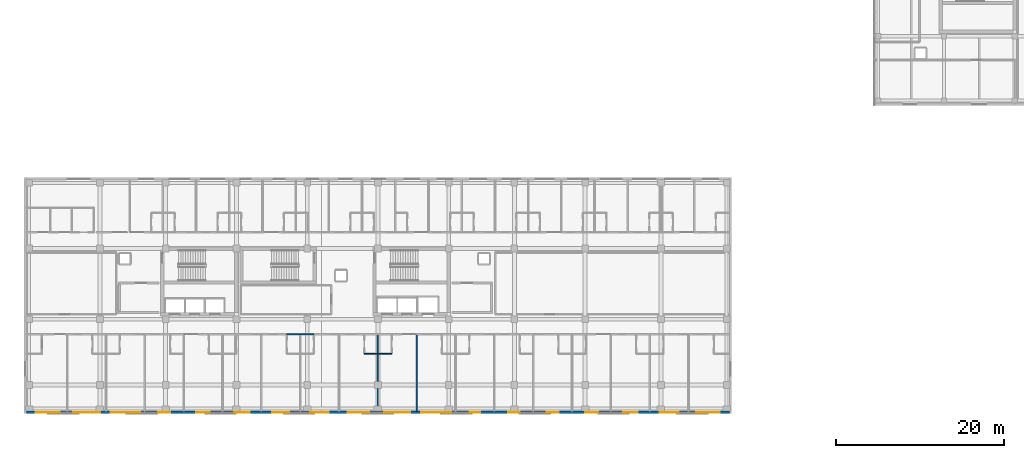
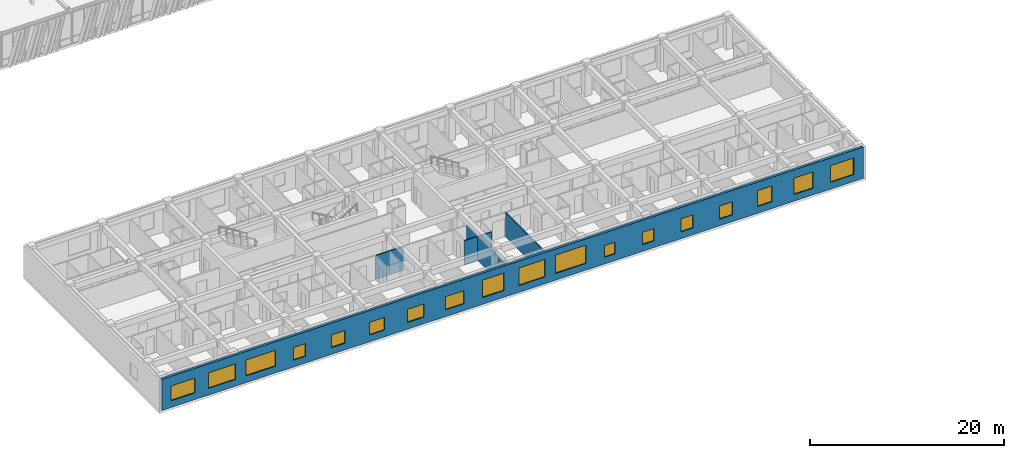
# One storey, part 105 of 123: 18 windows, 7 walls, 18 openings.
"""IFC4 building model written with IfcOpenShell, lengths in metres."""

from ifc_helpers import new_model, si_unit, direction, frame, frame_2d, origin, place, context, subcontext, project, spatial, rectangle, extrude, material, layer, layer_set, type_object, element, fill, save


model = new_model("IFC4")

# Units and contexts
model_context = context("Model", 3, precision=1e-05, world=origin(), true_north=direction((0.0, 1.0)))
body_context = subcontext(model_context, "Body", "Model", "MODEL_VIEW")
ifc_project = project(units=[si_unit("LENGTHUNIT", "METRE"), si_unit("AREAUNIT", "SQUARE_METRE"), si_unit("VOLUMEUNIT", "CUBIC_METRE"), si_unit("PLANEANGLEUNIT", "RADIAN"), si_unit("MASSUNIT", "GRAM", prefix="KILO")], contexts=[model_context])

# Site, building, storey
site_placement = place(None, origin())
site = spatial("IfcSite", under=ifc_project, at=site_placement, CompositionType="ELEMENT")
building_placement = place(site_placement, origin())
building = spatial("IfcBuilding", under=site, at=building_placement, Name="Zayran Congress Hotel", CompositionType="ELEMENT")
storey_placement = place(building_placement, frame((0.0, 0.0, 15.0)))
storey = spatial("IfcBuildingStorey", under=building, at=storey_placement, Name="L03", CompositionType="ELEMENT", Elevation=15.0)

# Wall, openings, windows
ifc_material_1 = material(Name="Hajar Ma'ani limestone cavity wall and concrete C32/40", Category="masonry")
ifc_layer_1 = layer(ifc_material_1, 0.280029296875)
ifc_layer_set_1 = layer_set([ifc_layer_1], Name="Hajar Ma'ani limestone cavity wall and concrete C32/40")
wall_type_1 = type_object("IfcWallType", Name="WL-EX-280", PredefinedType="SOLIDWALL", material=ifc_layer_set_1)
wall_1_placement = place(storey_placement, frame((92.1201171875, 6.139892578125, 0.0), z_axis=(0.0, 0.0, 1.0), x_axis=(-1.0, 0.0, 0.0)))
wall_1 = element("IfcWall", 1, at=wall_1_placement, inside=storey, type_object=wall_type_1, Name="EW-V5-S-L03", PredefinedType="SOLIDWALL", context=body_context, shape_type="SweptSolid", body=[
    extrude(rectangle(XDim=83.440185546875, YDim=0.280029296875, at=frame_2d((41.72021484375, 0.0))), origin(), (0.0, 0.0, 1.0), 3.919921875),
])
opening_1_placement = place(wall_1_placement, frame((79.489990234375, 0.0, 0.85009765625)))
opening_1 = element("IfcOpeningElement", 2, at=opening_1_placement, cuts=wall_1, Name="Opening WN-11", PredefinedType="OPENING", context=body_context, shape_type="SweptSolid", body=[
    extrude(rectangle(XDim=2.85009765625, YDim=1.85009765625, at=frame_2d((1.425048828125, 0.925048828125))), frame((0.0, 0.14990234375, 0.0), z_axis=(0.0, -1.0, 0.0), x_axis=(1.0, 0.0, 0.0)), (0.0, 0.0, 1.0), 0.300048828125),
])
opening_2_placement = place(wall_1_placement, frame((74.7041015625, 0.0, 0.85009765625)))
opening_2 = element("IfcOpeningElement", 3, at=opening_2_placement, cuts=wall_1, Name="Opening WN-12", PredefinedType="OPENING", context=body_context, shape_type="SweptSolid", body=[
    extrude(rectangle(XDim=3.199951171875, YDim=1.949951171875, at=frame_2d((1.60009765625, 0.97509765625))), frame((0.0, 0.14990234375, 0.0), z_axis=(0.0, -1.0, 0.0), x_axis=(1.0, 0.0, 0.0)), (0.0, 0.0, 1.0), 0.300048828125),
])
opening_3_placement = place(wall_1_placement, frame((69.94189453125, 0.0, 0.85009765625)))
opening_3 = element("IfcOpeningElement", 4, at=opening_3_placement, cuts=wall_1, Name="Opening WN-13", PredefinedType="OPENING", context=body_context, shape_type="SweptSolid", body=[
    extrude(rectangle(XDim=3.5, YDim=2.0, at=frame_2d((1.75, 1.0))), frame((0.0, 0.14990234375, 0.0), z_axis=(0.0, -1.0, 0.0), x_axis=(1.0, 0.0, 0.0)), (0.0, 0.0, 1.0), 0.300048828125),
])
opening_4_placement = place(wall_1_placement, frame((66.382080078125, 0.0, 0.85009765625)))
opening_4 = element("IfcOpeningElement", 5, at=opening_4_placement, cuts=wall_1, Name="Opening WN-14", PredefinedType="OPENING", context=body_context, shape_type="SweptSolid", body=[
    extrude(rectangle(XDim=1.39990234375, YDim=1.60009765625, at=frame_2d((0.699951171875, 0.800048828125))), frame((0.0, 0.14990234375, 0.0), z_axis=(0.0, -1.0, 0.0), x_axis=(1.0, 0.0, 0.0)), (0.0, 0.0, 1.0), 0.300048828125),
])
opening_5_placement = place(wall_1_placement, frame((61.669921875, 0.0, 0.85009765625)))
opening_5 = element("IfcOpeningElement", 6, at=opening_5_placement, cuts=wall_1, Name="Opening WN-15", PredefinedType="OPENING", context=body_context, shape_type="SweptSolid", body=[
    extrude(rectangle(XDim=1.60009765625, YDim=1.60009765625, at=frame_2d((0.800048828125, 0.800048828125))), frame((0.0, 0.14990234375, 0.0), z_axis=(0.0, -1.0, 0.0), x_axis=(1.0, 0.0, 0.0)), (0.0, 0.0, 1.0), 0.300048828125),
])
opening_6_placement = place(wall_1_placement, frame((56.958984375, 0.0, 0.85009765625)))
opening_6 = element("IfcOpeningElement", 7, at=opening_6_placement, cuts=wall_1, Name="Opening WN-16", PredefinedType="OPENING", context=body_context, shape_type="SweptSolid", body=[
    extrude(rectangle(XDim=1.800048828125, YDim=1.60009765625, at=frame_2d((0.89990234375, 0.800048828125))), frame((0.0, 0.14990234375, 0.0), z_axis=(0.0, -1.0, 0.0), x_axis=(1.0, 0.0, 0.0)), (0.0, 0.0, 1.0), 0.300048828125),
])
opening_7_placement = place(wall_1_placement, frame((52.248046875, 0.0, 0.85009765625)))
opening_7 = element("IfcOpeningElement", 8, at=opening_7_placement, cuts=wall_1, Name="Opening WN-17", PredefinedType="OPENING", context=body_context, shape_type="SweptSolid", body=[
    extrude(rectangle(XDim=2.0, YDim=1.64990234375, at=frame_2d((1.0, 0.824951171875))), frame((0.0, 0.14990234375, 0.0), z_axis=(0.0, -1.0, 0.0), x_axis=(1.0, 0.0, 0.0)), (0.0, 0.0, 1.0), 0.300048828125),
])
opening_8_placement = place(wall_1_placement, frame((47.535888671875, 0.0, 0.85009765625)))
opening_8 = element("IfcOpeningElement", 9, at=opening_8_placement, cuts=wall_1, Name="Opening WN-18", PredefinedType="OPENING", context=body_context, shape_type="SweptSolid", body=[
    extrude(rectangle(XDim=2.199951171875, YDim=1.64990234375, at=frame_2d((1.10009765625, 0.824951171875))), frame((0.0, 0.14990234375, 0.0), z_axis=(0.0, -1.0, 0.0), x_axis=(1.0, 0.0, 0.0)), (0.0, 0.0, 1.0), 0.300048828125),
])
opening_9_placement = place(wall_1_placement, frame((42.72607421875, 0.0, 0.85009765625)))
opening_9 = element("IfcOpeningElement", 10, at=opening_9_placement, cuts=wall_1, Name="Opening WN-19", PredefinedType="OPENING", context=body_context, shape_type="SweptSolid", body=[
    extrude(rectangle(XDim=2.60009765625, YDim=2.199951171875, at=frame_2d((1.300048828125, 1.10009765625))), frame((0.0, 0.14990234375, 0.0), z_axis=(0.0, -1.0, 0.0), x_axis=(1.0, 0.0, 0.0)), (0.0, 0.0, 1.0), 0.300048828125),
])
opening_10_placement = place(wall_1_placement, frame((37.864990234375, 0.0, 0.85009765625)))
opening_10 = element("IfcOpeningElement", 11, at=opening_10_placement, cuts=wall_1, Name="Opening WN-20", PredefinedType="OPENING", context=body_context, shape_type="SweptSolid", body=[
    extrude(rectangle(XDim=3.10009765625, YDim=2.199951171875, at=frame_2d((1.550048828125, 1.10009765625))), frame((0.0, 0.14990234375, 0.0), z_axis=(0.0, -1.0, 0.0), x_axis=(1.0, 0.0, 0.0)), (0.0, 0.0, 1.0), 0.300048828125),
])
opening_11_placement = place(wall_1_placement, frame((33.00390625, 0.0, 0.85009765625)))
opening_11 = element("IfcOpeningElement", 12, at=opening_11_placement, cuts=wall_1, Name="Opening WN-21", PredefinedType="OPENING", context=body_context, shape_type="SweptSolid", body=[
    extrude(rectangle(XDim=3.60009765625, YDim=2.300048828125, at=frame_2d((1.800048828125, 1.14990234375))), frame((0.0, 0.14990234375, 0.0), z_axis=(0.0, -1.0, 0.0), x_axis=(1.0, 0.0, 0.0)), (0.0, 0.0, 1.0), 0.300048828125),
])
opening_12_placement = place(wall_1_placement, frame((29.568115234375, 0.0, 0.85009765625)))
opening_12 = element("IfcOpeningElement", 13, at=opening_12_placement, cuts=wall_1, Name="Opening WN-23", PredefinedType="OPENING", context=body_context, shape_type="SweptSolid", body=[
    extrude(rectangle(XDim=1.25, YDim=1.449951171875, at=frame_2d((0.625, 0.72509765625))), frame((0.0, 0.14990234375, 0.0), z_axis=(0.0, -1.0, 0.0), x_axis=(1.0, 0.0, 0.0)), (0.0, 0.0, 1.0), 0.300048828125),
])
opening_13_placement = place(wall_1_placement, frame((24.906982421875, 0.0, 0.85009765625)))
opening_13 = element("IfcOpeningElement", 14, at=opening_13_placement, cuts=wall_1, Name="Opening WN-24", PredefinedType="OPENING", context=body_context, shape_type="SweptSolid", body=[
    extrude(rectangle(XDim=1.35009765625, YDim=1.550048828125, at=frame_2d((0.675048828125, 0.77490234375))), frame((0.0, 0.14990234375, 0.0), z_axis=(0.0, -1.0, 0.0), x_axis=(1.0, 0.0, 0.0)), (0.0, 0.0, 1.0), 0.300048828125),
])
opening_14_placement = place(wall_1_placement, frame((20.2451171875, 0.0, 0.85009765625)))
opening_14 = element("IfcOpeningElement", 15, at=opening_14_placement, cuts=wall_1, Name="Opening WN-25", PredefinedType="OPENING", context=body_context, shape_type="SweptSolid", body=[
    extrude(rectangle(XDim=1.449951171875, YDim=1.64990234375, at=frame_2d((0.72509765625, 0.824951171875))), frame((0.0, 0.14990234375, 0.0), z_axis=(0.0, -1.0, 0.0), x_axis=(1.0, 0.0, 0.0)), (0.0, 0.0, 1.0), 0.300048828125),
])
opening_15_placement = place(wall_1_placement, frame((15.583984375, 0.0, 0.85009765625)))
opening_15 = element("IfcOpeningElement", 16, at=opening_15_placement, cuts=wall_1, Name="Opening WN-26", PredefinedType="OPENING", context=body_context, shape_type="SweptSolid", body=[
    extrude(rectangle(XDim=1.550048828125, YDim=1.64990234375, at=frame_2d((0.77490234375, 0.824951171875))), frame((0.0, 0.14990234375, 0.0), z_axis=(0.0, -1.0, 0.0), x_axis=(1.0, 0.0, 0.0)), (0.0, 0.0, 1.0), 0.300048828125),
])
opening_16_placement = place(wall_1_placement, frame((10.89794921875, 0.0, 0.85009765625)))
opening_16 = element("IfcOpeningElement", 17, at=opening_16_placement, cuts=wall_1, Name="Opening WN-27", PredefinedType="OPENING", context=body_context, shape_type="SweptSolid", body=[
    extrude(rectangle(XDim=1.699951171875, YDim=2.0, at=frame_2d((0.85009765625, 1.0))), frame((0.0, 0.14990234375, 0.0), z_axis=(0.0, -1.0, 0.0), x_axis=(1.0, 0.0, 0.0)), (0.0, 0.0, 1.0), 0.300048828125),
])
opening_17_placement = place(wall_1_placement, frame((5.987060546875, 0.0, 0.85009765625)))
opening_17 = element("IfcOpeningElement", 18, at=opening_17_placement, cuts=wall_1, Name="Opening WN-28", PredefinedType="OPENING", context=body_context, shape_type="SweptSolid", body=[
    extrude(rectangle(XDim=2.300048828125, YDim=2.050048828125, at=frame_2d((1.14990234375, 1.02490234375))), frame((0.0, 0.14990234375, 0.0), z_axis=(0.0, -1.0, 0.0), x_axis=(1.0, 0.0, 0.0)), (0.0, 0.0, 1.0), 0.300048828125),
])
opening_18_placement = place(wall_1_placement, frame((1.15087890625, 0.0, 0.85009765625)))
opening_18 = element("IfcOpeningElement", 19, at=opening_18_placement, cuts=wall_1, Name="Opening WN-29", PredefinedType="OPENING", context=body_context, shape_type="SweptSolid", body=[
    extrude(rectangle(XDim=2.75, YDim=2.10009765625, at=frame_2d((1.375, 1.050048828125))), frame((0.0, 0.14990234375, 0.0), z_axis=(0.0, -1.0, 0.0), x_axis=(1.0, 0.0, 0.0)), (0.0, 0.0, 1.0), 0.300048828125),
])
ifc_material_2 = material(Name="Anodised aluminium and low-E insulated glass", Category="aluminium")
window_type_1 = type_object("IfcWindowType", Name="TP-WN-11", PartitioningType="TRIPLE_PANEL_VERTICAL", PredefinedType="WINDOW", material=ifc_material_2)
window_1_placement = place(opening_1_placement, origin())
window_1 = element("IfcWindow", 20, at=window_1_placement, inside=storey, type_object=window_type_1, Name="WIN-V5S-L03-0230", OverallHeight=1.85009765625, OverallWidth=2.85009765625, PartitioningType="SINGLE_PANEL", PredefinedType="WINDOW", context=body_context, shape_type="SweptSolid", body=[
    extrude(rectangle(XDim=2.85009765625, YDim=1.85009765625, at=frame_2d((1.425048828125, 0.925048828125))), frame((0.0, 0.030029296875, 0.0), z_axis=(0.0, -1.0, 0.0), x_axis=(1.0, 0.0, 0.0)), (0.0, 0.0, 1.0), 0.06005859375),
])
fill(opening_1, window_1)
window_type_2 = type_object("IfcWindowType", Name="TP-WN-12", PartitioningType="TRIPLE_PANEL_VERTICAL", PredefinedType="WINDOW", material=ifc_material_2)
window_2_placement = place(opening_2_placement, origin())
window_2 = element("IfcWindow", 21, at=window_2_placement, inside=storey, type_object=window_type_2, Name="WIN-V5S-L03-0231", OverallHeight=1.949951171875, OverallWidth=3.199951171875, PartitioningType="SINGLE_PANEL", PredefinedType="WINDOW", context=body_context, shape_type="SweptSolid", body=[
    extrude(rectangle(XDim=3.199951171875, YDim=1.949951171875, at=frame_2d((1.60009765625, 0.97509765625))), frame((0.0, 0.030029296875, 0.0), z_axis=(0.0, -1.0, 0.0), x_axis=(1.0, 0.0, 0.0)), (0.0, 0.0, 1.0), 0.06005859375),
])
fill(opening_2, window_2)
window_type_3 = type_object("IfcWindowType", Name="TP-WN-13", PartitioningType="TRIPLE_PANEL_VERTICAL", PredefinedType="WINDOW", material=ifc_material_2)
window_3_placement = place(opening_3_placement, origin())
window_3 = element("IfcWindow", 22, at=window_3_placement, inside=storey, type_object=window_type_3, Name="WIN-V5S-L03-0232", OverallHeight=2.0, OverallWidth=3.5, PartitioningType="SINGLE_PANEL", PredefinedType="WINDOW", context=body_context, shape_type="SweptSolid", body=[
    extrude(rectangle(XDim=3.5, YDim=2.0, at=frame_2d((1.75, 1.0))), frame((0.0, 0.030029296875, 0.0), z_axis=(0.0, -1.0, 0.0), x_axis=(1.0, 0.0, 0.0)), (0.0, 0.0, 1.0), 0.06005859375),
])
fill(opening_3, window_3)
window_type_4 = type_object("IfcWindowType", Name="TP-WN-14", PartitioningType="SINGLE_PANEL", PredefinedType="WINDOW", material=ifc_material_2)
window_4_placement = place(opening_4_placement, origin())
window_4 = element("IfcWindow", 23, at=window_4_placement, inside=storey, type_object=window_type_4, Name="WIN-V5S-L03-0233", OverallHeight=1.60009765625, OverallWidth=1.39990234375, PartitioningType="SINGLE_PANEL", PredefinedType="WINDOW", context=body_context, shape_type="SweptSolid", body=[
    extrude(rectangle(XDim=1.39990234375, YDim=1.60009765625, at=frame_2d((0.699951171875, 0.800048828125))), frame((0.0, 0.030029296875, 0.0), z_axis=(0.0, -1.0, 0.0), x_axis=(1.0, 0.0, 0.0)), (0.0, 0.0, 1.0), 0.06005859375),
])
fill(opening_4, window_4)
window_type_5 = type_object("IfcWindowType", Name="TP-WN-15", PartitioningType="SINGLE_PANEL", PredefinedType="WINDOW", material=ifc_material_2)
window_5_placement = place(opening_5_placement, origin())
window_5 = element("IfcWindow", 24, at=window_5_placement, inside=storey, type_object=window_type_5, Name="WIN-V5S-L03-0234", OverallHeight=1.60009765625, OverallWidth=1.60009765625, PartitioningType="SINGLE_PANEL", PredefinedType="WINDOW", context=body_context, shape_type="SweptSolid", body=[
    extrude(rectangle(XDim=1.60009765625, YDim=1.60009765625, at=frame_2d((0.800048828125, 0.800048828125))), frame((0.0, 0.030029296875, 0.0), z_axis=(0.0, -1.0, 0.0), x_axis=(1.0, 0.0, 0.0)), (0.0, 0.0, 1.0), 0.06005859375),
])
fill(opening_5, window_5)
window_type_6 = type_object("IfcWindowType", Name="TP-WN-16", PartitioningType="DOUBLE_PANEL_VERTICAL", PredefinedType="WINDOW", material=ifc_material_2)
window_6_placement = place(opening_6_placement, origin())
window_6 = element("IfcWindow", 25, at=window_6_placement, inside=storey, type_object=window_type_6, Name="WIN-V5S-L03-0235", OverallHeight=1.60009765625, OverallWidth=1.800048828125, PartitioningType="SINGLE_PANEL", PredefinedType="WINDOW", context=body_context, shape_type="SweptSolid", body=[
    extrude(rectangle(XDim=1.800048828125, YDim=1.60009765625, at=frame_2d((0.89990234375, 0.800048828125))), frame((0.0, 0.030029296875, 0.0), z_axis=(0.0, -1.0, 0.0), x_axis=(1.0, 0.0, 0.0)), (0.0, 0.0, 1.0), 0.06005859375),
])
fill(opening_6, window_6)
window_type_7 = type_object("IfcWindowType", Name="TP-WN-17", PartitioningType="DOUBLE_PANEL_VERTICAL", PredefinedType="WINDOW", material=ifc_material_2)
window_7_placement = place(opening_7_placement, origin())
window_7 = element("IfcWindow", 26, at=window_7_placement, inside=storey, type_object=window_type_7, Name="WIN-V5S-L03-0236", OverallHeight=1.64990234375, OverallWidth=2.0, PartitioningType="SINGLE_PANEL", PredefinedType="WINDOW", context=body_context, shape_type="SweptSolid", body=[
    extrude(rectangle(XDim=2.0, YDim=1.64990234375, at=frame_2d((1.0, 0.824951171875))), frame((0.0, 0.030029296875, 0.0), z_axis=(0.0, -1.0, 0.0), x_axis=(1.0, 0.0, 0.0)), (0.0, 0.0, 1.0), 0.06005859375),
])
fill(opening_7, window_7)
window_type_8 = type_object("IfcWindowType", Name="TP-WN-18", PartitioningType="DOUBLE_PANEL_VERTICAL", PredefinedType="WINDOW", material=ifc_material_2)
window_8_placement = place(opening_8_placement, origin())
window_8 = element("IfcWindow", 27, at=window_8_placement, inside=storey, type_object=window_type_8, Name="WIN-V5S-L03-0237", OverallHeight=1.64990234375, OverallWidth=2.199951171875, PartitioningType="SINGLE_PANEL", PredefinedType="WINDOW", context=body_context, shape_type="SweptSolid", body=[
    extrude(rectangle(XDim=2.199951171875, YDim=1.64990234375, at=frame_2d((1.10009765625, 0.824951171875))), frame((0.0, 0.030029296875, 0.0), z_axis=(0.0, -1.0, 0.0), x_axis=(1.0, 0.0, 0.0)), (0.0, 0.0, 1.0), 0.06005859375),
])
fill(opening_8, window_8)
window_type_9 = type_object("IfcWindowType", Name="TP-WN-19", PartitioningType="DOUBLE_PANEL_VERTICAL", PredefinedType="WINDOW", material=ifc_material_2)
window_9_placement = place(opening_9_placement, origin())
window_9 = element("IfcWindow", 28, at=window_9_placement, inside=storey, type_object=window_type_9, Name="WIN-V5S-L03-0238", OverallHeight=2.199951171875, OverallWidth=2.60009765625, PartitioningType="SINGLE_PANEL", PredefinedType="WINDOW", context=body_context, shape_type="SweptSolid", body=[
    extrude(rectangle(XDim=2.60009765625, YDim=2.199951171875, at=frame_2d((1.300048828125, 1.10009765625))), frame((0.0, 0.030029296875, 0.0), z_axis=(0.0, -1.0, 0.0), x_axis=(1.0, 0.0, 0.0)), (0.0, 0.0, 1.0), 0.06005859375),
])
fill(opening_9, window_9)
window_type_10 = type_object("IfcWindowType", Name="TP-WN-20", PartitioningType="TRIPLE_PANEL_VERTICAL", PredefinedType="WINDOW", material=ifc_material_2)
window_10_placement = place(opening_10_placement, origin())
window_10 = element("IfcWindow", 29, at=window_10_placement, inside=storey, type_object=window_type_10, Name="WIN-V5S-L03-0239", OverallHeight=2.199951171875, OverallWidth=3.10009765625, PartitioningType="SINGLE_PANEL", PredefinedType="WINDOW", context=body_context, shape_type="SweptSolid", body=[
    extrude(rectangle(XDim=3.10009765625, YDim=2.199951171875, at=frame_2d((1.550048828125, 1.10009765625))), frame((0.0, 0.030029296875, 0.0), z_axis=(0.0, -1.0, 0.0), x_axis=(1.0, 0.0, 0.0)), (0.0, 0.0, 1.0), 0.06005859375),
])
fill(opening_10, window_10)
window_type_11 = type_object("IfcWindowType", Name="TP-WN-21", PartitioningType="TRIPLE_PANEL_VERTICAL", PredefinedType="WINDOW", material=ifc_material_2)
window_11_placement = place(opening_11_placement, origin())
window_11 = element("IfcWindow", 30, at=window_11_placement, inside=storey, type_object=window_type_11, Name="WIN-V5S-L03-0240", OverallHeight=2.300048828125, OverallWidth=3.60009765625, PartitioningType="SINGLE_PANEL", PredefinedType="WINDOW", context=body_context, shape_type="SweptSolid", body=[
    extrude(rectangle(XDim=3.60009765625, YDim=2.300048828125, at=frame_2d((1.800048828125, 1.14990234375))), frame((0.0, 0.030029296875, 0.0), z_axis=(0.0, -1.0, 0.0), x_axis=(1.0, 0.0, 0.0)), (0.0, 0.0, 1.0), 0.06005859375),
])
fill(opening_11, window_11)
window_type_12 = type_object("IfcWindowType", Name="TP-WN-23", PartitioningType="SINGLE_PANEL", PredefinedType="WINDOW", material=ifc_material_2)
window_12_placement = place(opening_12_placement, origin())
window_12 = element("IfcWindow", 31, at=window_12_placement, inside=storey, type_object=window_type_12, Name="WIN-V5S-L03-0241", OverallHeight=1.449951171875, OverallWidth=1.25, PartitioningType="SINGLE_PANEL", PredefinedType="WINDOW", context=body_context, shape_type="SweptSolid", body=[
    extrude(rectangle(XDim=1.25, YDim=1.449951171875, at=frame_2d((0.625, 0.72509765625))), frame((0.0, 0.030029296875, 0.0), z_axis=(0.0, -1.0, 0.0), x_axis=(1.0, 0.0, 0.0)), (0.0, 0.0, 1.0), 0.06005859375),
])
fill(opening_12, window_12)
window_type_13 = type_object("IfcWindowType", Name="TP-WN-24", PartitioningType="SINGLE_PANEL", PredefinedType="WINDOW", material=ifc_material_2)
window_13_placement = place(opening_13_placement, origin())
window_13 = element("IfcWindow", 32, at=window_13_placement, inside=storey, type_object=window_type_13, Name="WIN-V5S-L03-0242", OverallHeight=1.550048828125, OverallWidth=1.35009765625, PartitioningType="SINGLE_PANEL", PredefinedType="WINDOW", context=body_context, shape_type="SweptSolid", body=[
    extrude(rectangle(XDim=1.35009765625, YDim=1.550048828125, at=frame_2d((0.675048828125, 0.77490234375))), frame((0.0, 0.030029296875, 0.0), z_axis=(0.0, -1.0, 0.0), x_axis=(1.0, 0.0, 0.0)), (0.0, 0.0, 1.0), 0.06005859375),
])
fill(opening_13, window_13)
window_type_14 = type_object("IfcWindowType", Name="TP-WN-25", PartitioningType="SINGLE_PANEL", PredefinedType="WINDOW", material=ifc_material_2)
window_14_placement = place(opening_14_placement, origin())
window_14 = element("IfcWindow", 33, at=window_14_placement, inside=storey, type_object=window_type_14, Name="WIN-V5S-L03-0243", OverallHeight=1.64990234375, OverallWidth=1.449951171875, PartitioningType="SINGLE_PANEL", PredefinedType="WINDOW", context=body_context, shape_type="SweptSolid", body=[
    extrude(rectangle(XDim=1.449951171875, YDim=1.64990234375, at=frame_2d((0.72509765625, 0.824951171875))), frame((0.0, 0.030029296875, 0.0), z_axis=(0.0, -1.0, 0.0), x_axis=(1.0, 0.0, 0.0)), (0.0, 0.0, 1.0), 0.06005859375),
])
fill(opening_14, window_14)
window_type_15 = type_object("IfcWindowType", Name="TP-WN-26", PartitioningType="SINGLE_PANEL", PredefinedType="WINDOW", material=ifc_material_2)
window_15_placement = place(opening_15_placement, origin())
window_15 = element("IfcWindow", 34, at=window_15_placement, inside=storey, type_object=window_type_15, Name="WIN-V5S-L03-0244", OverallHeight=1.64990234375, OverallWidth=1.550048828125, PartitioningType="SINGLE_PANEL", PredefinedType="WINDOW", context=body_context, shape_type="SweptSolid", body=[
    extrude(rectangle(XDim=1.550048828125, YDim=1.64990234375, at=frame_2d((0.77490234375, 0.824951171875))), frame((0.0, 0.030029296875, 0.0), z_axis=(0.0, -1.0, 0.0), x_axis=(1.0, 0.0, 0.0)), (0.0, 0.0, 1.0), 0.06005859375),
])
fill(opening_15, window_15)
window_type_16 = type_object("IfcWindowType", Name="TP-WN-27", PartitioningType="DOUBLE_PANEL_VERTICAL", PredefinedType="WINDOW", material=ifc_material_2)
window_16_placement = place(opening_16_placement, origin())
window_16 = element("IfcWindow", 35, at=window_16_placement, inside=storey, type_object=window_type_16, Name="WIN-V5S-L03-0245", OverallHeight=2.0, OverallWidth=1.699951171875, PartitioningType="SINGLE_PANEL", PredefinedType="WINDOW", context=body_context, shape_type="SweptSolid", body=[
    extrude(rectangle(XDim=1.699951171875, YDim=2.0, at=frame_2d((0.85009765625, 1.0))), frame((0.0, 0.030029296875, 0.0), z_axis=(0.0, -1.0, 0.0), x_axis=(1.0, 0.0, 0.0)), (0.0, 0.0, 1.0), 0.06005859375),
])
fill(opening_16, window_16)
window_type_17 = type_object("IfcWindowType", Name="TP-WN-28", PartitioningType="DOUBLE_PANEL_VERTICAL", PredefinedType="WINDOW", material=ifc_material_2)
window_17_placement = place(opening_17_placement, origin())
window_17 = element("IfcWindow", 36, at=window_17_placement, inside=storey, type_object=window_type_17, Name="WIN-V5S-L03-0246", OverallHeight=2.050048828125, OverallWidth=2.300048828125, PartitioningType="SINGLE_PANEL", PredefinedType="WINDOW", context=body_context, shape_type="SweptSolid", body=[
    extrude(rectangle(XDim=2.300048828125, YDim=2.050048828125, at=frame_2d((1.14990234375, 1.02490234375))), frame((0.0, 0.030029296875, 0.0), z_axis=(0.0, -1.0, 0.0), x_axis=(1.0, 0.0, 0.0)), (0.0, 0.0, 1.0), 0.06005859375),
])
fill(opening_17, window_17)
window_type_18 = type_object("IfcWindowType", Name="TP-WN-29", PartitioningType="TRIPLE_PANEL_VERTICAL", PredefinedType="WINDOW", material=ifc_material_2)
window_18_placement = place(opening_18_placement, origin())
window_18 = element("IfcWindow", 37, at=window_18_placement, inside=storey, type_object=window_type_18, Name="WIN-V5S-L03-0247", OverallHeight=2.10009765625, OverallWidth=2.75, PartitioningType="SINGLE_PANEL", PredefinedType="WINDOW", context=body_context, shape_type="SweptSolid", body=[
    extrude(rectangle(XDim=2.75, YDim=2.10009765625, at=frame_2d((1.375, 1.050048828125))), frame((0.0, 0.030029296875, 0.0), z_axis=(0.0, -1.0, 0.0), x_axis=(1.0, 0.0, 0.0)), (0.0, 0.0, 1.0), 0.06005859375),
])
fill(opening_18, window_18)

# Walls
ifc_material_3 = material(Name="Hospitality guestroom acoustic partition", Category="gypsum")
ifc_layer_2 = layer(ifc_material_3, 0.139892578125)
ifc_layer_set_2 = layer_set([ifc_layer_2], Name="Hospitality guestroom acoustic partition")
wall_type_2 = type_object("IfcWallType", Name="WL-PT-140", PredefinedType="PARTITIONING", material=ifc_layer_set_2)
for number, where, z_axis, x_axis, name in (
    (38, (50.389892578125, 6.280029296875, 0.0), (0.0, 0.0, 1.0), (0.0, 1.0, 0.0), "IW-L03-1901"),
    (39, (55.0009765625, 6.280029296875, 0.0), (0.0, 0.0, 1.0), (0.0, 1.0, 0.0), "IW-L03-1902"),
):
    element("IfcWall", number, at=place(storey_placement, frame(where, z_axis=z_axis, x_axis=x_axis)), inside=storey, type_object=wall_type_2, Name=name, PredefinedType="PARTITIONING", context=body_context, shape_type="SweptSolid", body=[
        extrude(rectangle(XDim=9.14990234375, YDim=0.139892578125, at=frame_2d((4.574951171875, 0.0))), origin(), (0.0, 0.0, 1.0), 3.02001953125),
    ])
ifc_material_4 = material(Name="Moisture-resistant bathroom partition", Category="gypsum")
ifc_layer_3 = layer(ifc_material_4, 0.1201171875)
ifc_layer_set_3 = layer_set([ifc_layer_3], Name="Moisture-resistant bathroom partition")
wall_type_3 = type_object("IfcWallType", Name="WL-PT-120", PredefinedType="PARTITIONING", material=ifc_layer_set_3)
wall_2_placement = place(storey_placement, frame((39.549072265625, 15.419921875, 0.0), z_axis=(0.0, 0.0, 1.0), x_axis=(1.0, 0.0, 0.0)))
element("IfcWall", 40, at=wall_2_placement, inside=storey, type_object=wall_type_3, Name="IW-L03-1062", PredefinedType="PARTITIONING", context=body_context, shape_type="SweptSolid", body=[
    extrude(rectangle(XDim=1.62890625, YDim=0.1201171875, at=frame_2d((0.814453125, 0.0))), origin(), (0.0, 0.0, 1.0), 3.02001953125),
])
wall_3_placement = place(storey_placement, frame((41.177978515625, 15.419921875, 0.0), z_axis=(0.0, 0.0, 1.0), x_axis=(1.0, 0.0, 0.0)))
element("IfcWall", 41, at=wall_3_placement, inside=storey, type_object=wall_type_3, Name="IW-L03-1064", PredefinedType="PARTITIONING", context=body_context, shape_type="SweptSolid", body=[
    extrude(rectangle(XDim=1.619140625, YDim=0.1201171875, at=frame_2d((0.8095703125, 0.0))), origin(), (0.0, 0.0, 1.0), 3.02001953125),
])
wall_4_placement = place(storey_placement, frame((48.77099609375, 13.1298828125, 0.0), z_axis=(0.0, 0.0, 1.0), x_axis=(1.0, 0.0, 0.0)))
element("IfcWall", 42, at=wall_4_placement, inside=storey, type_object=wall_type_3, Name="IW-L03-1065", PredefinedType="PARTITIONING", context=body_context, shape_type="SweptSolid", body=[
    extrude(rectangle(XDim=1.62890625, YDim=0.1201171875, at=frame_2d((0.814453125, 0.0))), origin(), (0.0, 0.0, 1.0), 3.02001953125),
])
wall_5_placement = place(storey_placement, frame((50.39990234375, 13.1298828125, 0.0), z_axis=(0.0, 0.0, 1.0), x_axis=(1.0, 0.0, 0.0)))
element("IfcWall", 43, at=wall_5_placement, inside=storey, type_object=wall_type_3, Name="IW-L03-1067", PredefinedType="PARTITIONING", context=body_context, shape_type="SweptSolid", body=[
    extrude(rectangle(XDim=1.629150390625, YDim=0.1201171875, at=frame_2d((0.814453125, 0.0))), origin(), (0.0, 0.0, 1.0), 3.02001953125),
])

save(model, "model.ifc")
